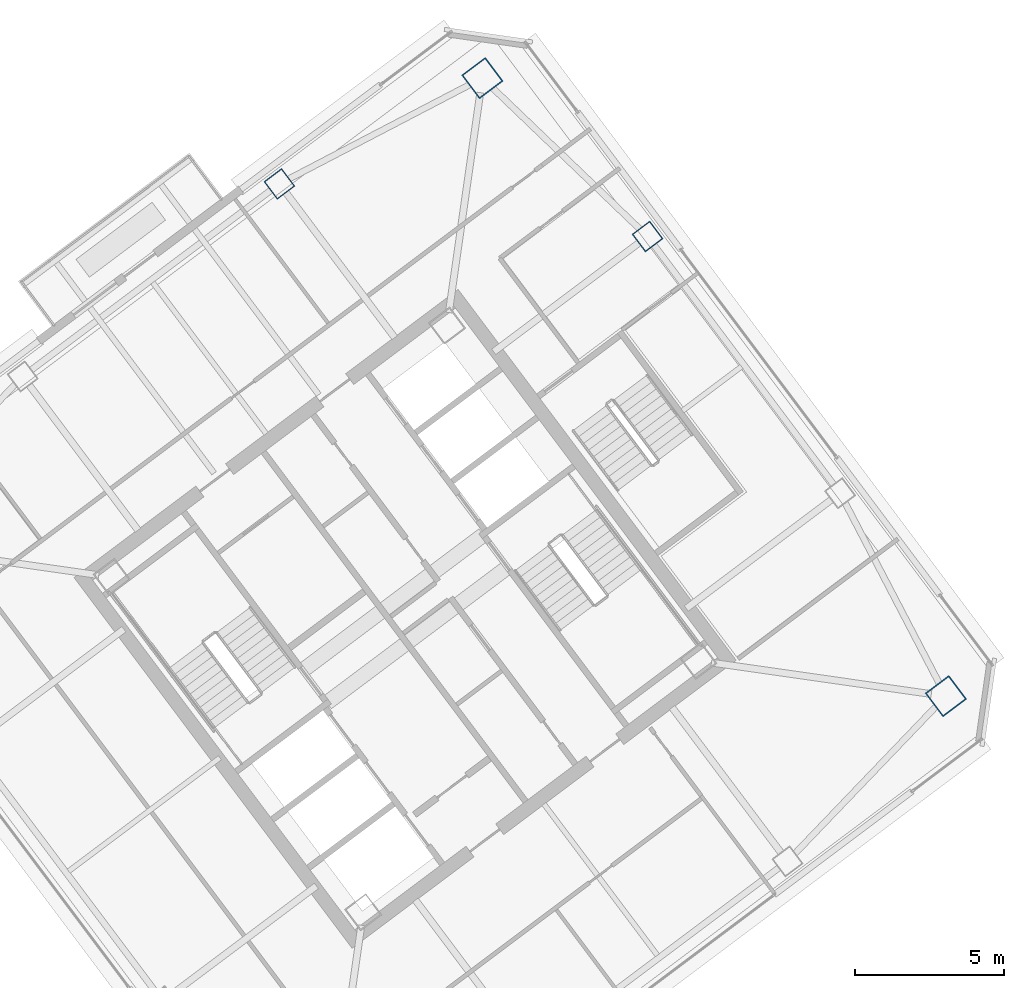
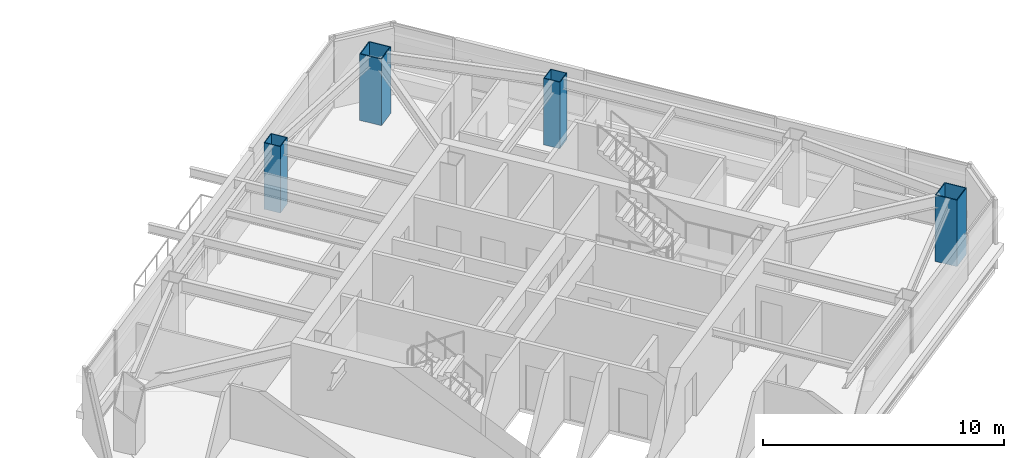
# One storey, part 2 of 36: 4 columns.
"""IFC4 building model written with IfcOpenShell, lengths in metres."""

from ifc_helpers import new_model, si_unit, direction, frame, origin, origin_2d, place, context, subcontext, project, spatial, hollow_rectangle, extrude, material, material_profile, profile_set, type_object, element, save


model = new_model("IFC4")

# Units and contexts
model_context = context("Model", 3, precision=1e-05, world=origin(), true_north=direction((0.0, 1.0)))
body_context = subcontext(model_context, "Body", "Model", "MODEL_VIEW")
ifc_project = project(units=[si_unit("LENGTHUNIT", "METRE"), si_unit("AREAUNIT", "SQUARE_METRE"), si_unit("VOLUMEUNIT", "CUBIC_METRE"), si_unit("PLANEANGLEUNIT", "RADIAN"), si_unit("MASSUNIT", "GRAM", prefix="KILO")], contexts=[model_context])

# Site, building, storey
site_placement = place(None, origin())
site = spatial("IfcSite", under=ifc_project, at=site_placement, CompositionType="ELEMENT")
building_placement = place(site_placement, origin())
building = spatial("IfcBuilding", under=site, at=building_placement, Name="Tashvorn Skyway Center", CompositionType="ELEMENT")
storey_placement = place(building_placement, frame((0.0, 0.0, 236.14990234375)))
storey = spatial("IfcBuildingStorey", under=building, at=storey_placement, Name="L64", CompositionType="ELEMENT", Elevation=236.14990234375)

# Columns
ifc_material = material(Name="Steel ASTM A572 Grade 50", Category="steel")
ifc_material_profile_1 = material_profile(ifc_material, hollow_rectangle(XDim=1.0, YDim=1.0, WallThickness=0.0400390625, at=origin_2d()), Name="BOX1000x1000x40")
ifc_profile_set_1 = profile_set([ifc_material_profile_1], Name="Steel ASTM A572 Grade 50")
column_type_1 = type_object("IfcColumnType", Name="COL-BOX1000x1000x40", PredefinedType="COLUMN", material=ifc_profile_set_1)
for number, where, z_axis, x_axis, name in (
    (1, (132.199951171875, 29.39990234375, 0.0), (0.0, 0.0, 1.0), (0.799999996291, 0.600000004945, 0.0), "Tower 2 L64 Mega-Column MC-SE"),
    (2, (116.60009765625, 50.199951171875, 0.0), (0.0, 0.0, 1.0), (0.799999996291, 0.600000004945, 0.0), "Tower 2 L64 Mega-Column MC-NE"),
):
    element("IfcColumn", number, at=place(storey_placement, frame(where, z_axis=z_axis, x_axis=x_axis)), inside=storey, type_object=column_type_1, Name=name, PredefinedType="COLUMN", context=body_context, shape_type="SweptSolid", body=[
        extrude(hollow_rectangle(XDim=1.0, YDim=1.0, WallThickness=0.0400390625, at=origin_2d()), origin(), (0.0, 0.0, 1.0), 3.3701171875),
    ])
ifc_material_profile_2 = material_profile(ifc_material, hollow_rectangle(XDim=0.75, YDim=0.75, WallThickness=0.031982421875, at=origin_2d()), Name="BOX750x750x32")
ifc_profile_set_2 = profile_set([ifc_material_profile_2], Name="Steel ASTM A572 Grade 50")
column_type_2 = type_object("IfcColumnType", Name="COL-BOX750x750x32", PredefinedType="COLUMN", material=ifc_profile_set_2)
for number, where, z_axis, x_axis, name in (
    (3, (122.159912109375, 44.8701171875, 0.0), (0.0, 0.0, 1.0), (0.799999996291, 0.600000004945, 0.0), "Tower 2 L64 Perimeter Column FC-E2"),
    (4, (109.77001953125, 46.639892578125, 0.0), (0.0, 0.0, 1.0), (0.799999996291, 0.600000004945, 0.0), "Tower 2 L64 Perimeter Column FC-N1"),
):
    element("IfcColumn", number, at=place(storey_placement, frame(where, z_axis=z_axis, x_axis=x_axis)), inside=storey, type_object=column_type_2, Name=name, PredefinedType="COLUMN", context=body_context, shape_type="SweptSolid", body=[
        extrude(hollow_rectangle(XDim=0.75, YDim=0.75, WallThickness=0.031982421875, at=origin_2d()), origin(), (0.0, 0.0, 1.0), 3.3701171875),
    ])

save(model, "model.ifc")
